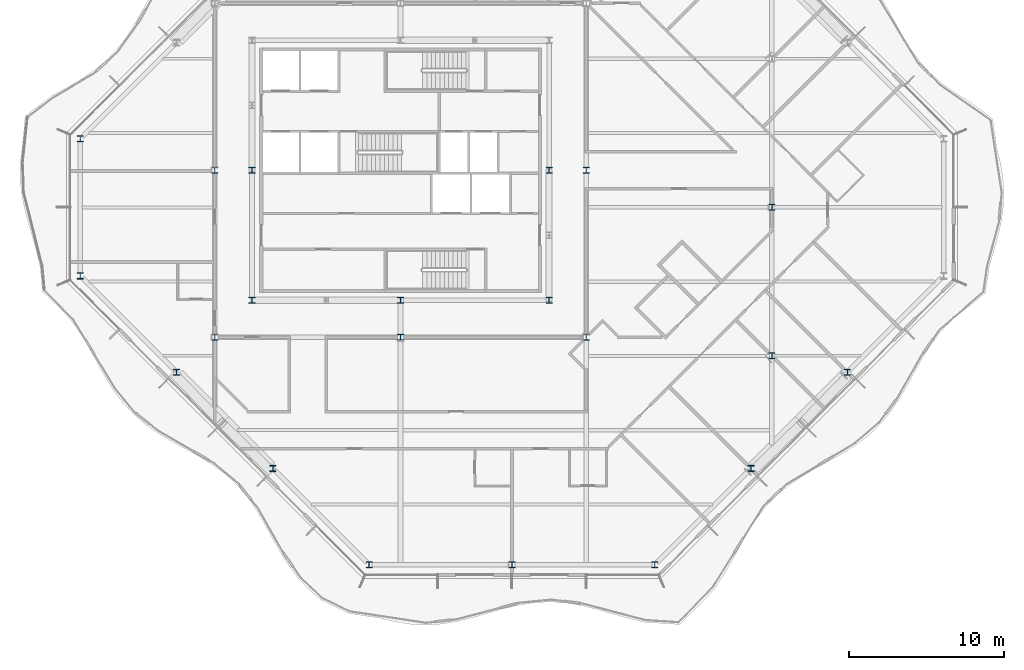
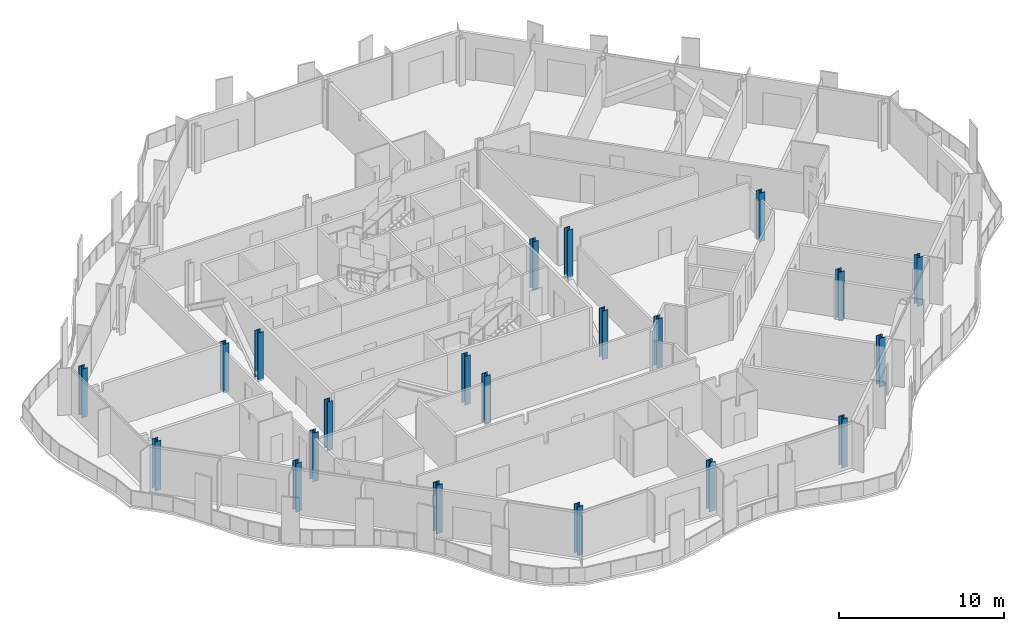
# One storey, part 1 of 17: 21 columns.
"""IFC4 building model written with IfcOpenShell, lengths in metres."""

import ifcopenshell
import ifcopenshell.guid

model = None  # the IFC model being written
_history = None  # IfcOwnerHistory: only IFC2X3 demands one
_inside = {}  # id of a spatial element -> (the spatial element, [elements in it])
_under = {}  # id of a project, library or spatial element -> (it, [spatial elements below it])
_declared = {}  # id of a project -> (the project, [libraries it declares])
_typed = {}  # id of a type object -> (the type object, [elements of that type])
_made_of = {}  # id of a material, layer set ... -> (it, [elements and type objects made of it])


def new_model(schema):
    """Start an empty IFC model of exactly this schema.

    Asked for "IFC4X3", IfcOpenShell would pick the latest addendum, in which some entities
    have other attributes; the version numbers below select the first issue.
    IFC2X3 requires an IfcOwnerHistory on every rooted entity: one is made here for all.
    """
    global model, _history
    if schema == "IFC4X3":
        model = ifcopenshell.file(schema_version=(4, 3, 0, 0))
    else:
        model = ifcopenshell.file(schema=schema)
    _inside.clear()
    _under.clear()
    _declared.clear()
    _typed.clear()
    _made_of.clear()
    _history = None
    if model.schema == "IFC2X3":
        org = make("IfcOrganization", Name="unknown")
        user = make(
            "IfcPersonAndOrganization",
            ThePerson=make("IfcPerson", FamilyName="unknown"),
            TheOrganization=org,
        )
        app = make(
            "IfcApplication",
            ApplicationDeveloper=org,
            Version="unknown",
            ApplicationFullName="unknown",
            ApplicationIdentifier="unknown",
        )
        _history = make(
            "IfcOwnerHistory",
            OwningUser=user,
            OwningApplication=app,
            ChangeAction="ADDED",
            CreationDate=0,
        )
    return model


def make(cls, **values):
    """One entity of the class cls with the attributes given. An attribute that is None is left unset."""
    return model.create_entity(
        cls, **{name: value for name, value in values.items() if value is not None}
    )


def rooted(cls, **values):
    """An entity with a GlobalId (a new one), such as an element, a storey or a relation."""
    return make(cls, GlobalId=ifcopenshell.guid.new(), OwnerHistory=_history, **values)


def si_unit(unit_type, name, prefix=None):
    """IfcSIUnit, for example si_unit("LENGTHUNIT", "METRE", prefix="MILLI")."""
    return make("IfcSIUnit", UnitType=unit_type, Prefix=prefix, Name=name)


def assignment(units):
    """IfcUnitAssignment: the units of a project."""
    return None if units is None else make("IfcUnitAssignment", Units=units)


def point(xyz):
    """IfcCartesianPoint."""
    return None if xyz is None else make("IfcCartesianPoint", Coordinates=xyz)


def direction(xyz):
    """IfcDirection."""
    return None if xyz is None else make("IfcDirection", DirectionRatios=xyz)


def frame(location, z_axis=None, x_axis=None):
    """IfcAxis2Placement3D, a coordinate frame: its origin and axes. An axis left out is left unset."""
    return make(
        "IfcAxis2Placement3D",
        Location=point(location),
        Axis=direction(z_axis),
        RefDirection=direction(x_axis),
    )


def frame_2d(location, x_axis=None):
    """IfcAxis2Placement2D, a coordinate frame in the plane: its origin and x axis."""
    return make(
        "IfcAxis2Placement2D", Location=point(location), RefDirection=direction(x_axis)
    )


def origin():
    """The frame at (0, 0, 0) with its axes left unset."""
    return frame((0.0, 0.0, 0.0))


def origin_2d():
    """The frame at (0, 0) in the plane with its x axis left unset."""
    return frame_2d((0.0, 0.0))


def place(relative_to, where):
    """IfcLocalPlacement: puts the frame where relative to a parent placement (None: the world)."""
    return make(
        "IfcLocalPlacement", PlacementRelTo=relative_to, RelativePlacement=where
    )


def context(
    kind, dimensions, precision=None, world=None, true_north=None, identifier=None
):
    """IfcGeometricRepresentationContext, for example the 3D "Model" context."""
    return make(
        "IfcGeometricRepresentationContext",
        ContextIdentifier=identifier,
        ContextType=kind,
        CoordinateSpaceDimension=dimensions,
        Precision=precision,
        WorldCoordinateSystem=world,
        TrueNorth=true_north,
    )


def subcontext(parent, identifier, kind, view, scale=None):
    """IfcGeometricRepresentationSubContext, for example "Body" below "Model"."""
    return make(
        "IfcGeometricRepresentationSubContext",
        ContextIdentifier=identifier,
        ContextType=kind,
        ParentContext=parent,
        TargetScale=scale,
        TargetView=view,
    )


def project(units=None, contexts=None):
    """IfcProject with its units and contexts."""
    return rooted(
        "IfcProject",
        Name="project",
        RepresentationContexts=contexts,
        UnitsInContext=assignment(units),
    )


def spatial(cls, under=None, at=None, **own):
    """A site, building, storey or space (cls), placed at a placement, below another one or the project."""
    s = rooted(cls, ObjectPlacement=at, **own)
    if under is not None:
        _under.setdefault(under.id(), (under, []))[1].append(s)
    return s


def profile(cls, at=None, kind="AREA", **sizes):
    """A parametric profile (cls). Its sizes go by their IFC names, for example OverallWidth=200.0."""
    return make(cls, ProfileType=kind, Position=at, **sizes)


def i_section(**sizes):
    """IfcIShapeProfileDef."""
    return profile("IfcIShapeProfileDef", **sizes)


def extrude(swept, where, along, depth):
    """IfcExtrudedAreaSolid: the profile swept, set in the frame where, extruded along a direction by depth."""
    return make(
        "IfcExtrudedAreaSolid",
        SweptArea=swept,
        Position=where,
        ExtrudedDirection=direction(along),
        Depth=depth,
    )


def shape(context_of_items, identifier, shape_type, items):
    """IfcShapeRepresentation: the items that make up one representation, for example the "Body"."""
    return make(
        "IfcShapeRepresentation",
        ContextOfItems=context_of_items,
        RepresentationIdentifier=identifier,
        RepresentationType=shape_type,
        Items=items,
    )


def material(Name=None, Category=None):
    """IfcMaterial."""
    return make("IfcMaterial", Name=Name, Category=Category)


def material_profile(
    of_material, cross_section, Name=None, Category=None, Priority=None
):
    """IfcMaterialProfile: a cross section and its material."""
    return make(
        "IfcMaterialProfile",
        Name=Name,
        Material=of_material,
        Profile=cross_section,
        Priority=Priority,
        Category=Category,
    )


def profile_set(profiles, Name=None, composite=None):
    """IfcMaterialProfileSet."""
    return make(
        "IfcMaterialProfileSet",
        Name=Name,
        MaterialProfiles=profiles,
        CompositeProfile=composite,
    )


def made_of(thing, what):
    """Note that an element or type object is made of a material, layer set ...; save() writes the relation."""
    if what is not None:
        _made_of.setdefault(what.id(), (what, []))[1].append(thing)
    return thing


def type_object(cls, material=None, **own):
    """A type object (cls), such as IfcWallType, which elements share."""
    return made_of(rooted(cls, **own), material)


def element(
    cls,
    number,
    at=None,
    inside=None,
    cuts=None,
    type_object=None,
    material=None,
    context=None,
    identifier="Body",
    shape_type=None,
    held_by="IfcProductDefinitionShape",
    body=None,
    shapes=None,
    **own,
):
    """One element of the class cls, such as IfcWall. Its Tag is "e" and its number.

    at: its placement. inside: the storey or other place that contains it. cuts: it is an
    opening in that element (IfcRelVoidsElement). A single representation is given by context,
    identifier, shape_type and body (its items); several are given by shapes. held_by: the class
    of the entity that holds the representations. save() writes the other relations.
    """
    e = rooted(cls, Tag="e%d" % number, ObjectPlacement=at, **own)
    if body is not None:
        shapes = [shape(context, identifier, shape_type, body)]
    if shapes is not None:
        e.Representation = make(held_by, Representations=shapes)
    if inside is not None:
        _inside.setdefault(inside.id(), (inside, []))[1].append(e)
    if cuts is not None:
        rooted(
            "IfcRelVoidsElement", RelatingBuildingElement=cuts, RelatedOpeningElement=e
        )
    if type_object is not None:
        _typed.setdefault(type_object.id(), (type_object, []))[1].append(e)
    return made_of(e, material)


def aggregate(whole, parts):
    """IfcRelAggregates: a whole, such as a stair, and the parts it consists of."""
    return rooted("IfcRelAggregates", RelatingObject=whole, RelatedObjects=parts)


def save(model, path):
    """Write the relations noted so far, then the file.

    IfcRelAggregates (storeys below a building ...), IfcRelContainedInSpatialStructure (elements
    in a storey), IfcRelDefinesByType, IfcRelAssociatesMaterial and IfcRelDeclares: one each for
    every whole, place, type object, material and project.
    """
    for whole, parts in _under.values():
        aggregate(whole, parts)
    for where, things in _inside.values():
        rooted(
            "IfcRelContainedInSpatialStructure",
            RelatedElements=things,
            RelatingStructure=where,
        )
    for kind, things in _typed.values():
        rooted("IfcRelDefinesByType", RelatedObjects=things, RelatingType=kind)
    for what, things in _made_of.values():
        rooted("IfcRelAssociatesMaterial", RelatedObjects=things, RelatingMaterial=what)
    for by, libraries in _declared.values():
        rooted("IfcRelDeclares", RelatingContext=by, RelatedDefinitions=libraries)
    model.write(path)


model = new_model("IFC4")

# Units and contexts
model_context = context("Model", 3, precision=1e-05, world=origin(), true_north=direction((0.0, 1.0)))
body_context = subcontext(model_context, "Body", "Model", "MODEL_VIEW")
ifc_project = project(units=[si_unit("LENGTHUNIT", "METRE"), si_unit("AREAUNIT", "SQUARE_METRE"), si_unit("VOLUMEUNIT", "CUBIC_METRE"), si_unit("PLANEANGLEUNIT", "RADIAN"), si_unit("MASSUNIT", "GRAM", prefix="KILO")], contexts=[model_context])

# Site, building, storey
site_placement = place(None, origin())
site = spatial("IfcSite", under=ifc_project, at=site_placement, CompositionType="ELEMENT")
building_placement = place(site_placement, origin())
building = spatial("IfcBuilding", under=site, at=building_placement, Name="Cairn Pilgrim Tower", CompositionType="ELEMENT")
storey_placement = place(building_placement, frame((0.0, 0.0, 250.199951171875)))
storey = spatial("IfcBuildingStorey", under=building, at=storey_placement, Name="L64", CompositionType="ELEMENT", Elevation=250.199951171875)

# Columns
ifc_material_1 = material(Name="Structural steel S355J2", Category="steel")
ifc_material_profile_1 = material_profile(ifc_material_1, i_section(OverallWidth=0.39404296875, OverallDepth=0.375, WebThickness=0.017333984375, FlangeThickness=0.027587890625, FilletRadius=0.014892578125, at=origin_2d()), Name="HD 400x216")
ifc_profile_set_1 = profile_set([ifc_material_profile_1], Name="Structural steel S355J2")
column_type_1 = type_object("IfcColumnType", Name="HD 400x216", PredefinedType="COLUMN", material=ifc_profile_set_1)
for number, where, z_axis, x_axis, name in (
    (1, (-4.800048828125, -8.39990234375, -0.14990234375), (0.0, 0.0, 1.0), (1.0, 0.0, 0.0), "IC-1"),
    (2, (7.199951171875, -8.39990234375, -0.14990234375), (0.0, 0.0, 1.0), (1.0, 0.0, 0.0), "IC-2"),
    (3, (19.199951171875, -8.39990234375, -0.14990234375), (0.0, 0.0, 1.0), (1.0, 0.0, 0.0), "IC-3"),
    (4, (-4.800048828125, 2.39990234375, -0.14990234375), (0.0, 0.0, 1.0), (1.0, 0.0, 0.0), "IC-4"),
    (5, (19.199951171875, 2.39990234375, -0.14990234375), (0.0, 0.0, 1.0), (1.0, 0.0, 0.0), "IC-5"),
):
    element("IfcColumn", number, at=place(storey_placement, frame(where, z_axis=z_axis, x_axis=x_axis)), inside=storey, type_object=column_type_1, Name=name, PredefinedType="COLUMN", context=body_context, shape_type="SweptSolid", body=[
        extrude(i_section(OverallWidth=0.39404296875, OverallDepth=0.375, WebThickness=0.017333984375, FlangeThickness=0.027587890625, FilletRadius=0.014892578125, at=origin_2d()), origin(), (0.0, 0.0, 1.0), 3.599853515625),
    ])
ifc_material_profile_2 = material_profile(ifc_material_1, i_section(OverallWidth=0.39794921875, OverallDepth=0.386962890625, WebThickness=0.02099609375, FlangeThickness=0.033203125, FilletRadius=0.014892578125, at=origin_2d()), Name="HD 400x262")
ifc_profile_set_2 = profile_set([ifc_material_profile_2], Name="Structural steel S355J2")
column_type_2 = type_object("IfcColumnType", Name="HD 400x262", PredefinedType="COLUMN", material=ifc_profile_set_2)
for number, where, z_axis, x_axis, name in (
    (6, (-2.39990234375, -6.0, -0.14990234375), (0.0, 0.0, 1.0), (1.0, 0.0, 0.0), "KC-1"),
    (7, (7.199951171875, -6.0, -0.14990234375), (0.0, 0.0, 1.0), (1.0, 0.0, 0.0), "KC-2"),
    (8, (16.800048828125, -6.0, -0.14990234375), (0.0, 0.0, 1.0), (1.0, 0.0, 0.0), "KC-3"),
    (9, (-2.39990234375, 2.39990234375, -0.14990234375), (0.0, 0.0, 1.0), (1.0, 0.0, 0.0), "KC-4"),
    (10, (16.800048828125, 2.39990234375, -0.14990234375), (0.0, 0.0, 1.0), (1.0, 0.0, 0.0), "KC-5"),
):
    element("IfcColumn", number, at=place(storey_placement, frame(where, z_axis=z_axis, x_axis=x_axis)), inside=storey, type_object=column_type_2, Name=name, PredefinedType="COLUMN", context=body_context, shape_type="SweptSolid", body=[
        extrude(i_section(OverallWidth=0.39794921875, OverallDepth=0.386962890625, WebThickness=0.02099609375, FlangeThickness=0.033203125, FilletRadius=0.014892578125, at=origin_2d()), origin(), (0.0, 0.0, 1.0), 3.599853515625),
    ])
ifc_material_profile_3 = material_profile(ifc_material_1, i_section(OverallWidth=0.39892578125, OverallDepth=0.39306640625, WebThickness=0.022705078125, FlangeThickness=0.03662109375, FilletRadius=0.014892578125, at=origin_2d()), Name="HD 400x287")
ifc_profile_set_3 = profile_set([ifc_material_profile_3], Name="Structural steel S355J2")
column_type_3 = type_object("IfcColumnType", Name="HD 400x287", PredefinedType="COLUMN", material=ifc_profile_set_3)
for number, where, z_axis, x_axis, name in (
    (11, (31.199951171875, -9.60009765625, -0.14990234375), (0.0, 0.0, 1.0), (1.0, 0.0, 0.0), "WC-WE-2"),
    (12, (31.199951171875, 0.0, -0.14990234375), (0.0, 0.0, 1.0), (1.0, 0.0, 0.0), "WC-WE+0"),
):
    element("IfcColumn", number, at=place(storey_placement, frame(where, z_axis=z_axis, x_axis=x_axis)), inside=storey, type_object=column_type_3, Name=name, PredefinedType="COLUMN", context=body_context, shape_type="SweptSolid", body=[
        extrude(i_section(OverallWidth=0.39892578125, OverallDepth=0.39306640625, WebThickness=0.022705078125, FlangeThickness=0.03662109375, FilletRadius=0.014892578125, at=origin_2d()), origin(), (0.0, 0.0, 1.0), 3.599853515625),
    ])
ifc_material_2 = material(Name="Structural steel S460M", Category="steel")
ifc_material_profile_4 = material_profile(ifc_material_2, i_section(OverallWidth=0.404052734375, OverallDepth=0.406982421875, WebThickness=0.027099609375, FlangeThickness=0.043701171875, FilletRadius=0.014892578125, at=origin_2d()), Name="HD 400x347")
ifc_profile_set_4 = profile_set([ifc_material_profile_4], Name="Structural steel S460M")
column_type_4 = type_object("IfcColumnType", Name="HD 400x347", PredefinedType="COLUMN", material=ifc_profile_set_4)
for number, where, z_axis, x_axis, name in (
    (13, (5.1728515625, -23.10009765625, -0.14990234375), (0.0, 0.0, 1.0), (1.0, 0.0, 0.0), "PC3-S1"),
    (14, (14.39990234375, -23.10009765625, -0.14990234375), (0.0, 0.0, 1.0), (1.0, 0.0, 0.0), "PC3-S2"),
    (15, (23.627197265625, -23.10009765625, -0.14990234375), (0.0, 0.0, 1.0), (1.0, 0.0, 0.0), "PC3-SE1"),
    (16, (29.8515625, -16.875732421875, -0.14990234375), (0.0, 0.0, 1.0), (1.0, 0.0, 0.0), "PC3-SE2"),
    (17, (36.07568359375, -10.651611328125, -0.14990234375), (0.0, 0.0, 1.0), (1.0, 0.0, 0.0), "PC3-SE3"),
    (18, (-13.5, 4.42724609375, -0.14990234375), (0.0, 0.0, 1.0), (1.0, 0.0, 0.0), "PC3-W1"),
    (19, (-13.5, -4.42724609375, -0.14990234375), (0.0, 0.0, 1.0), (1.0, 0.0, 0.0), "PC3-SW1"),
    (20, (-7.275634765625, -10.651611328125, -0.14990234375), (0.0, 0.0, 1.0), (1.0, 0.0, 0.0), "PC3-SW2"),
    (21, (-1.051513671875, -16.875732421875, -0.14990234375), (0.0, 0.0, 1.0), (1.0, 0.0, 0.0), "PC3-SW3"),
):
    element("IfcColumn", number, at=place(storey_placement, frame(where, z_axis=z_axis, x_axis=x_axis)), inside=storey, type_object=column_type_4, Name=name, PredefinedType="COLUMN", context=body_context, shape_type="SweptSolid", body=[
        extrude(i_section(OverallWidth=0.404052734375, OverallDepth=0.406982421875, WebThickness=0.027099609375, FlangeThickness=0.043701171875, FilletRadius=0.014892578125, at=origin_2d()), origin(), (0.0, 0.0, 1.0), 3.599853515625),
    ])

save(model, "model.ifc")
